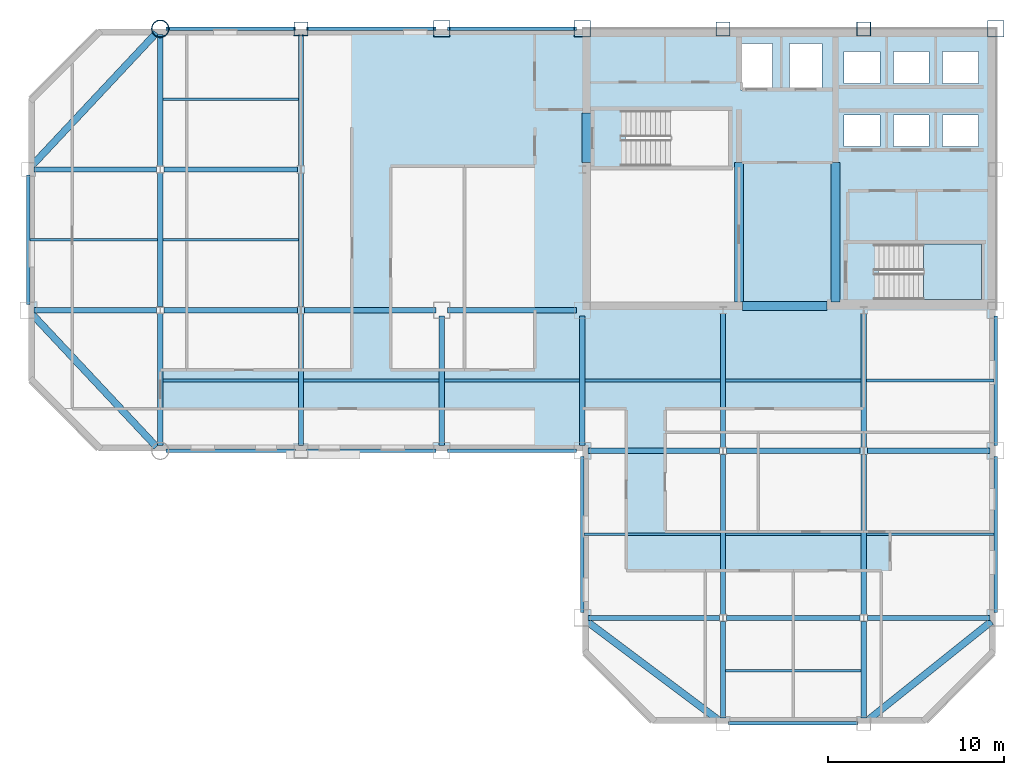
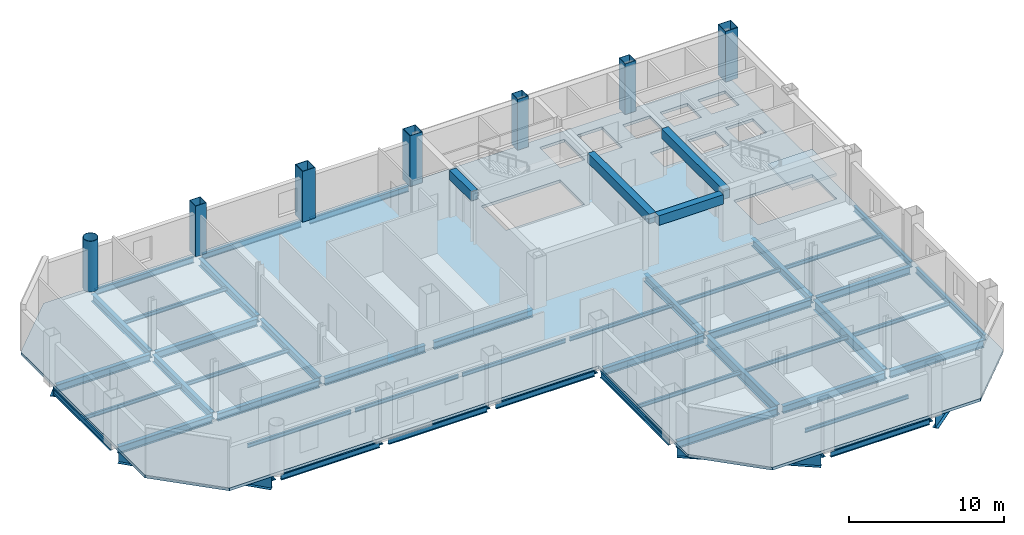
# One storey, part 3 of 11: 58 beams, 7 columns, 2 slabs, 1 element without a shape of its own.
"""IFC4 building model written with IfcOpenShell, lengths in metres."""

from ifc_helpers import new_model, si_unit, direction, frame, origin, origin_2d, place, context, subcontext, project, spatial, polyline, rectangle, hollow_rectangle, hollow_circle, i_section, outline, extrude, material, layer, layer_set, material_profile, profile_set, type_object, element, aggregate, save


model = new_model("IFC4")

# Units and contexts
model_context = context("Model", 3, precision=1e-05, world=origin(), true_north=direction((0.0, 1.0)))
body_context = subcontext(model_context, "Body", "Model", "MODEL_VIEW")
ifc_project = project(units=[si_unit("LENGTHUNIT", "METRE"), si_unit("AREAUNIT", "SQUARE_METRE"), si_unit("VOLUMEUNIT", "CUBIC_METRE"), si_unit("PLANEANGLEUNIT", "RADIAN"), si_unit("MASSUNIT", "GRAM", prefix="KILO")], contexts=[model_context])

# Site, building, storey
site_placement = place(None, origin())
site = spatial("IfcSite", under=ifc_project, at=site_placement, CompositionType="ELEMENT")
building_placement = place(site_placement, origin())
building = spatial("IfcBuilding", under=site, at=building_placement, Name="Qianrong Seaharbour Tower", CompositionType="ELEMENT")
storey_placement = place(building_placement, frame((0.0, 0.0, 265.800048828125)))
storey = spatial("IfcBuildingStorey", under=building, at=storey_placement, Name="L64", CompositionType="ELEMENT", Elevation=265.800048828125)

# Columns
ifc_material_1 = material(Name="Structural steel SN490B", Category="steel")
ifc_material_profile_1 = material_profile(ifc_material_1, hollow_rectangle(XDim=0.949951171875, YDim=0.949951171875, WallThickness=0.035888671875, at=origin_2d()), Name="BOX950x950x36")
ifc_profile_set_1 = profile_set([ifc_material_profile_1], Name="Structural steel SN490B")
column_type_1 = type_object("IfcColumnType", Name="COL-CFT-950", PredefinedType="COLUMN", material=ifc_profile_set_1)
for number, where, z_axis, x_axis, name in (
    (1, (32.5, 52.0, 0.0), (0.0, 0.0, 1.0), (1.0, 0.0, 0.0), "L64 Column MC-4 at G5/GH"),
    (2, (40.5, 52.0, 0.0), (0.0, 0.0, 1.0), (1.0, 0.0, 0.0), "L64 Column MC-4 at G6/GH"),
    (3, (64.0, 52.0, 0.0), (0.0, 0.0, 1.0), (1.0, 0.0, 0.0), "L64 Column MC-4 at G9/GH"),
):
    element("IfcColumn", number, at=place(storey_placement, frame(where, z_axis=z_axis, x_axis=x_axis)), inside=storey, type_object=column_type_1, Name=name, PredefinedType="COLUMN", context=body_context, shape_type="SweptSolid", body=[
        extrude(hollow_rectangle(XDim=0.949951171875, YDim=0.949951171875, WallThickness=0.035888671875, at=origin_2d()), origin(), (0.0, 0.0, 1.0), 4.0),
    ])
ifc_material_profile_2 = material_profile(ifc_material_1, hollow_circle(Radius=0.5, WallThickness=0.035888671875, at=origin_2d()), Name="CHS1000x36")
ifc_profile_set_2 = profile_set([ifc_material_profile_2], Name="Structural steel SN490B")
column_type_2 = type_object("IfcColumnType", Name="COL-CHS-1000", PredefinedType="COLUMN", material=ifc_profile_set_2)
column_placement = place(storey_placement, frame((16.5, 52.0, 0.0), z_axis=(0.0, 0.0, 1.0), x_axis=(1.0, 0.0, 0.0)))
element("IfcColumn", 4, at=column_placement, inside=storey, type_object=column_type_2, Name="L64 Column CC-2 at G3/GH", PredefinedType="COLUMN", context=body_context, shape_type="SweptSolid", body=[
    extrude(hollow_circle(Radius=0.5, WallThickness=0.035888671875, at=origin_2d()), origin(), (0.0, 0.0, 1.0), 4.0),
])
ifc_material_profile_3 = material_profile(ifc_material_1, hollow_rectangle(XDim=0.800048828125, YDim=0.800048828125, WallThickness=0.031982421875, at=origin_2d()), Name="BOX800x800x32")
ifc_profile_set_3 = profile_set([ifc_material_profile_3], Name="Structural steel SN490B")
column_type_3 = type_object("IfcColumnType", Name="COL-PER-800", PredefinedType="COLUMN", material=ifc_profile_set_3)
for number, where, z_axis, x_axis, name in (
    (5, (24.5, 52.0, 0.0), (0.0, 0.0, 1.0), (1.0, 0.0, 0.0), "L64 Column PC-3 at G4/GH"),
    (6, (48.5, 52.0, 0.0), (0.0, 0.0, 1.0), (1.0, 0.0, 0.0), "L64 Column PC-3 at G7/GH"),
    (7, (56.5, 52.0, 0.0), (0.0, 0.0, 1.0), (1.0, 0.0, 0.0), "L64 Column PC-3 at G8/GH"),
):
    element("IfcColumn", number, at=place(storey_placement, frame(where, z_axis=z_axis, x_axis=x_axis)), inside=storey, type_object=column_type_3, Name=name, PredefinedType="COLUMN", context=body_context, shape_type="SweptSolid", body=[
        extrude(hollow_rectangle(XDim=0.800048828125, YDim=0.800048828125, WallThickness=0.031982421875, at=origin_2d()), origin(), (0.0, 0.0, 1.0), 4.0),
    ])

# Beams
ifc_material_profile_4 = material_profile(ifc_material_1, i_section(OverallWidth=0.300048828125, OverallDepth=0.587890625, WebThickness=0.011962890625, FlangeThickness=0.02001953125, FilletRadius=0.02392578125, at=origin_2d()), Name="H588x300x12x20")
ifc_profile_set_4 = profile_set([ifc_material_profile_4], Name="Structural steel SN490B")
beam_type_1 = type_object("IfcBeamType", Name="BM-G-588", PredefinedType="BEAM", material=ifc_profile_set_4)
beam_1_placement = place(storey_placement, frame((40.820068359375, 18.5, -0.51904296875), z_axis=(1.0, 0.0, 0.0), x_axis=(0.0, 1.0, 0.0)))
element("IfcBeam", 8, at=beam_1_placement, inside=storey, type_object=beam_type_1, Name="L64 Primary Girder GD G6-G7", PredefinedType="BEAM", context=body_context, shape_type="SweptSolid", body=[
    extrude(i_section(OverallWidth=0.300048828125, OverallDepth=0.587890625, WebThickness=0.011962890625, FlangeThickness=0.02001953125, FilletRadius=0.02392578125, at=origin_2d()), origin(), (0.0, 0.0, 1.0), 7.47998046875),
])
beam_2_placement = place(storey_placement, frame((48.699951171875, 18.5, -0.51904296875), z_axis=(1.0, 0.0, 0.0), x_axis=(0.0, 1.0, 0.0)))
element("IfcBeam", 9, at=beam_2_placement, inside=storey, type_object=beam_type_1, Name="L64 Primary Girder GD G7-G8", PredefinedType="BEAM", context=body_context, shape_type="SweptSolid", body=[
    extrude(i_section(OverallWidth=0.300048828125, OverallDepth=0.587890625, WebThickness=0.011962890625, FlangeThickness=0.02001953125, FilletRadius=0.02392578125, at=origin_2d()), origin(), (0.0, 0.0, 1.0), 7.60009765625),
])
beam_3_placement = place(storey_placement, frame((56.699951171875, 18.5, -0.51904296875), z_axis=(1.0, 0.0, 0.0), x_axis=(0.0, 1.0, 0.0)))
element("IfcBeam", 10, at=beam_3_placement, inside=storey, type_object=beam_type_1, Name="L64 Primary Girder GD G8-G9", PredefinedType="BEAM", context=body_context, shape_type="SweptSolid", body=[
    extrude(i_section(OverallWidth=0.300048828125, OverallDepth=0.587890625, WebThickness=0.011962890625, FlangeThickness=0.02001953125, FilletRadius=0.02392578125, at=origin_2d()), origin(), (0.0, 0.0, 1.0), 6.97998046875),
])
beam_4_placement = place(storey_placement, frame((40.820068359375, 28.0, -0.51904296875), z_axis=(1.0, 0.0, 0.0), x_axis=(0.0, 1.0, 0.0)))
element("IfcBeam", 11, at=beam_4_placement, inside=storey, type_object=beam_type_1, Name="L64 Primary Girder GE G6-G7", PredefinedType="BEAM", context=body_context, shape_type="SweptSolid", body=[
    extrude(i_section(OverallWidth=0.300048828125, OverallDepth=0.587890625, WebThickness=0.011962890625, FlangeThickness=0.02001953125, FilletRadius=0.02392578125, at=origin_2d()), origin(), (0.0, 0.0, 1.0), 7.47998046875),
])
beam_5_placement = place(storey_placement, frame((48.699951171875, 28.0, -0.51904296875), z_axis=(1.0, 0.0, 0.0), x_axis=(0.0, 1.0, 0.0)))
element("IfcBeam", 12, at=beam_5_placement, inside=storey, type_object=beam_type_1, Name="L64 Primary Girder GE G7-G8", PredefinedType="BEAM", context=body_context, shape_type="SweptSolid", body=[
    extrude(i_section(OverallWidth=0.300048828125, OverallDepth=0.587890625, WebThickness=0.011962890625, FlangeThickness=0.02001953125, FilletRadius=0.02392578125, at=origin_2d()), origin(), (0.0, 0.0, 1.0), 7.60009765625),
])
for number, where, z_axis, x_axis, name in (
    (13, (56.699951171875, 28.0, -0.51904296875), (1.0, 0.0, 0.0), (0.0, 1.0, 0.0), "L64 Primary Girder GE G8-G9"),
    (14, (9.320068359375, 36.0, -0.51904296875), (1.0, 0.0, 0.0), (0.0, 1.0, 0.0), "L64 Primary Girder GF G2-G3"),
):
    element("IfcBeam", number, at=place(storey_placement, frame(where, z_axis=z_axis, x_axis=x_axis)), inside=storey, type_object=beam_type_1, Name=name, PredefinedType="BEAM", context=body_context, shape_type="SweptSolid", body=[
        extrude(i_section(OverallWidth=0.300048828125, OverallDepth=0.587890625, WebThickness=0.011962890625, FlangeThickness=0.02001953125, FilletRadius=0.02392578125, at=origin_2d()), origin(), (0.0, 0.0, 1.0), 6.97998046875),
    ])
beam_6_placement = place(storey_placement, frame((16.699951171875, 36.0, -0.51904296875), z_axis=(1.0, 0.0, 0.0), x_axis=(0.0, 1.0, 0.0)))
element("IfcBeam", 15, at=beam_6_placement, inside=storey, type_object=beam_type_1, Name="L64 Primary Girder GF G3-G4", PredefinedType="BEAM", context=body_context, shape_type="SweptSolid", body=[
    extrude(i_section(OverallWidth=0.300048828125, OverallDepth=0.587890625, WebThickness=0.011962890625, FlangeThickness=0.02001953125, FilletRadius=0.02392578125, at=origin_2d()), origin(), (0.0, 0.0, 1.0), 7.60009765625),
])
beam_7_placement = place(storey_placement, frame((24.699951171875, 36.0, -0.51904296875), z_axis=(1.0, 0.0, 0.0), x_axis=(0.0, 1.0, 0.0)))
element("IfcBeam", 16, at=beam_7_placement, inside=storey, type_object=beam_type_1, Name="L64 Primary Girder GF G4-G5", PredefinedType="BEAM", context=body_context, shape_type="SweptSolid", body=[
    extrude(i_section(OverallWidth=0.300048828125, OverallDepth=0.587890625, WebThickness=0.011962890625, FlangeThickness=0.02001953125, FilletRadius=0.02392578125, at=origin_2d()), origin(), (0.0, 0.0, 1.0), 7.47998046875),
])
beam_8_placement = place(storey_placement, frame((32.820068359375, 36.0, -0.51904296875), z_axis=(1.0, 0.0, 0.0), x_axis=(0.0, 1.0, 0.0)))
element("IfcBeam", 17, at=beam_8_placement, inside=storey, type_object=beam_type_1, Name="L64 Primary Girder GF G5-G6", PredefinedType="BEAM", context=body_context, shape_type="SweptSolid", body=[
    extrude(i_section(OverallWidth=0.300048828125, OverallDepth=0.587890625, WebThickness=0.011962890625, FlangeThickness=0.02001953125, FilletRadius=0.02392578125, at=origin_2d()), origin(), (0.0, 0.0, 1.0), 7.35986328125),
])
beam_9_placement = place(storey_placement, frame((9.320068359375, 44.0, -0.51904296875), z_axis=(1.0, 0.0, 0.0), x_axis=(0.0, 1.0, 0.0)))
element("IfcBeam", 18, at=beam_9_placement, inside=storey, type_object=beam_type_1, Name="L64 Primary Girder GG G2-G3", PredefinedType="BEAM", context=body_context, shape_type="SweptSolid", body=[
    extrude(i_section(OverallWidth=0.300048828125, OverallDepth=0.587890625, WebThickness=0.011962890625, FlangeThickness=0.02001953125, FilletRadius=0.02392578125, at=origin_2d()), origin(), (0.0, 0.0, 1.0), 6.97998046875),
])
beam_10_placement = place(storey_placement, frame((16.699951171875, 44.0, -0.51904296875), z_axis=(1.0, 0.0, 0.0), x_axis=(0.0, 1.0, 0.0)))
element("IfcBeam", 19, at=beam_10_placement, inside=storey, type_object=beam_type_1, Name="L64 Primary Girder GG G3-G4", PredefinedType="BEAM", context=body_context, shape_type="SweptSolid", body=[
    extrude(i_section(OverallWidth=0.300048828125, OverallDepth=0.587890625, WebThickness=0.011962890625, FlangeThickness=0.02001953125, FilletRadius=0.02392578125, at=origin_2d()), origin(), (0.0, 0.0, 1.0), 7.60009765625),
])
beam_11_placement = place(storey_placement, frame((16.5, 28.320068359375, -0.51904296875), z_axis=(0.0, 1.0, 0.0), x_axis=(-1.0, 0.0, 0.0)))
element("IfcBeam", 20, at=beam_11_placement, inside=storey, type_object=beam_type_1, Name="L64 Primary Girder G3 GE-GF", PredefinedType="BEAM", context=body_context, shape_type="SweptSolid", body=[
    extrude(i_section(OverallWidth=0.300048828125, OverallDepth=0.587890625, WebThickness=0.011962890625, FlangeThickness=0.02001953125, FilletRadius=0.02392578125, at=origin_2d()), origin(), (0.0, 0.0, 1.0), 7.47998046875),
])
beam_12_placement = place(storey_placement, frame((16.5, 36.199951171875, -0.51904296875), z_axis=(0.0, 1.0, 0.0), x_axis=(-1.0, 0.0, 0.0)))
element("IfcBeam", 21, at=beam_12_placement, inside=storey, type_object=beam_type_1, Name="L64 Primary Girder G3 GF-GG", PredefinedType="BEAM", context=body_context, shape_type="SweptSolid", body=[
    extrude(i_section(OverallWidth=0.300048828125, OverallDepth=0.587890625, WebThickness=0.011962890625, FlangeThickness=0.02001953125, FilletRadius=0.02392578125, at=origin_2d()), origin(), (0.0, 0.0, 1.0), 7.60009765625),
])
for number, where, z_axis, x_axis, name in (
    (22, (16.5, 44.199951171875, -0.51904296875), (0.0, 1.0, 0.0), (-1.0, 0.0, 0.0), "L64 Primary Girder G3 GG-GH"),
    (23, (24.5, 28.320068359375, -0.51904296875), (0.0, 1.0, 0.0), (-1.0, 0.0, 0.0), "L64 Primary Girder G4 GE-GF"),
):
    element("IfcBeam", number, at=place(storey_placement, frame(where, z_axis=z_axis, x_axis=x_axis)), inside=storey, type_object=beam_type_1, Name=name, PredefinedType="BEAM", context=body_context, shape_type="SweptSolid", body=[
        extrude(i_section(OverallWidth=0.300048828125, OverallDepth=0.587890625, WebThickness=0.011962890625, FlangeThickness=0.02001953125, FilletRadius=0.02392578125, at=origin_2d()), origin(), (0.0, 0.0, 1.0), 7.47998046875),
    ])
beam_13_placement = place(storey_placement, frame((24.5, 36.199951171875, -0.51904296875), z_axis=(0.0, 1.0, 0.0), x_axis=(-1.0, 0.0, 0.0)))
element("IfcBeam", 24, at=beam_13_placement, inside=storey, type_object=beam_type_1, Name="L64 Primary Girder G4 GF-GG", PredefinedType="BEAM", context=body_context, shape_type="SweptSolid", body=[
    extrude(i_section(OverallWidth=0.300048828125, OverallDepth=0.587890625, WebThickness=0.011962890625, FlangeThickness=0.02001953125, FilletRadius=0.02392578125, at=origin_2d()), origin(), (0.0, 0.0, 1.0), 7.60009765625),
])
beam_14_placement = place(storey_placement, frame((24.5, 44.199951171875, -0.51904296875), z_axis=(0.0, 1.0, 0.0), x_axis=(-1.0, 0.0, 0.0)))
element("IfcBeam", 25, at=beam_14_placement, inside=storey, type_object=beam_type_1, Name="L64 Primary Girder G4 GG-GH", PredefinedType="BEAM", context=body_context, shape_type="SweptSolid", body=[
    extrude(i_section(OverallWidth=0.300048828125, OverallDepth=0.587890625, WebThickness=0.011962890625, FlangeThickness=0.02001953125, FilletRadius=0.02392578125, at=origin_2d()), origin(), (0.0, 0.0, 1.0), 7.47998046875),
])
for number, where, z_axis, x_axis, name in (
    (26, (32.5, 28.320068359375, -0.51904296875), (0.0, 1.0, 0.0), (-1.0, 0.0, 0.0), "L64 Primary Girder G5 GE-GF"),
    (27, (40.5, 28.320068359375, -0.51904296875), (0.0, 1.0, 0.0), (-1.0, 0.0, 0.0), "L64 Primary Girder G6 GE-GF"),
):
    element("IfcBeam", number, at=place(storey_placement, frame(where, z_axis=z_axis, x_axis=x_axis)), inside=storey, type_object=beam_type_1, Name=name, PredefinedType="BEAM", context=body_context, shape_type="SweptSolid", body=[
        extrude(i_section(OverallWidth=0.300048828125, OverallDepth=0.587890625, WebThickness=0.011962890625, FlangeThickness=0.02001953125, FilletRadius=0.02392578125, at=origin_2d()), origin(), (0.0, 0.0, 1.0), 7.35986328125),
    ])
beam_15_placement = place(storey_placement, frame((48.5, 12.820068359375, -0.51904296875), z_axis=(0.0, 1.0, 0.0), x_axis=(-1.0, 0.0, 0.0)))
element("IfcBeam", 28, at=beam_15_placement, inside=storey, type_object=beam_type_1, Name="L64 Primary Girder G7 GC-GD", PredefinedType="BEAM", context=body_context, shape_type="SweptSolid", body=[
    extrude(i_section(OverallWidth=0.300048828125, OverallDepth=0.587890625, WebThickness=0.011962890625, FlangeThickness=0.02001953125, FilletRadius=0.02392578125, at=origin_2d()), origin(), (0.0, 0.0, 1.0), 5.47998046875),
])
beam_16_placement = place(storey_placement, frame((48.5, 28.199951171875, -0.51904296875), z_axis=(0.0, 1.0, 0.0), x_axis=(-1.0, 0.0, 0.0)))
element("IfcBeam", 29, at=beam_16_placement, inside=storey, type_object=beam_type_1, Name="L64 Primary Girder G7 GE-GF", PredefinedType="BEAM", context=body_context, shape_type="SweptSolid", body=[
    extrude(i_section(OverallWidth=0.300048828125, OverallDepth=0.587890625, WebThickness=0.011962890625, FlangeThickness=0.02001953125, FilletRadius=0.02392578125, at=origin_2d()), origin(), (0.0, 0.0, 1.0), 7.60009765625),
])
beam_17_placement = place(storey_placement, frame((56.5, 12.820068359375, -0.51904296875), z_axis=(0.0, 1.0, 0.0), x_axis=(-1.0, 0.0, 0.0)))
element("IfcBeam", 30, at=beam_17_placement, inside=storey, type_object=beam_type_1, Name="L64 Primary Girder G8 GC-GD", PredefinedType="BEAM", context=body_context, shape_type="SweptSolid", body=[
    extrude(i_section(OverallWidth=0.300048828125, OverallDepth=0.587890625, WebThickness=0.011962890625, FlangeThickness=0.02001953125, FilletRadius=0.02392578125, at=origin_2d()), origin(), (0.0, 0.0, 1.0), 5.47998046875),
])
beam_18_placement = place(storey_placement, frame((56.5, 28.199951171875, -0.51904296875), z_axis=(0.0, 1.0, 0.0), x_axis=(-1.0, 0.0, 0.0)))
element("IfcBeam", 31, at=beam_18_placement, inside=storey, type_object=beam_type_1, Name="L64 Primary Girder G8 GE-GF", PredefinedType="BEAM", context=body_context, shape_type="SweptSolid", body=[
    extrude(i_section(OverallWidth=0.300048828125, OverallDepth=0.587890625, WebThickness=0.011962890625, FlangeThickness=0.02001953125, FilletRadius=0.02392578125, at=origin_2d()), origin(), (0.0, 0.0, 1.0), 7.60009765625),
])
ifc_material_profile_5 = material_profile(ifc_material_1, i_section(OverallWidth=0.300048828125, OverallDepth=0.800048828125, WebThickness=0.013916015625, FlangeThickness=0.02587890625, FilletRadius=0.028076171875, at=origin_2d()), Name="H800x300x14x26")
ifc_profile_set_5 = profile_set([ifc_material_profile_5], Name="Structural steel SN490B")
beam_type_2 = type_object("IfcBeamType", Name="BM-G-800", PredefinedType="BEAM", material=ifc_profile_set_5)
for number, where, z_axis, x_axis, name in (
    (32, (48.5, 18.699951171875, -0.625), (0.0, 1.0, 0.0), (-1.0, 0.0, 0.0), "L64 Primary Girder G7 GD-GE"),
    (33, (56.5, 18.699951171875, -0.625), (0.0, 1.0, 0.0), (-1.0, 0.0, 0.0), "L64 Primary Girder G8 GD-GE"),
):
    element("IfcBeam", number, at=place(storey_placement, frame(where, z_axis=z_axis, x_axis=x_axis)), inside=storey, type_object=beam_type_2, Name=name, PredefinedType="BEAM", context=body_context, shape_type="SweptSolid", body=[
        extrude(i_section(OverallWidth=0.300048828125, OverallDepth=0.800048828125, WebThickness=0.013916015625, FlangeThickness=0.02587890625, FilletRadius=0.028076171875, at=origin_2d()), origin(), (0.0, 0.0, 1.0), 9.10009765625),
    ])
ifc_material_2 = material(Name="Structural steel SN400B", Category="steel")
ifc_material_profile_6 = material_profile(ifc_material_2, i_section(OverallWidth=0.14990234375, OverallDepth=0.300048828125, WebThickness=0.006591796875, FlangeThickness=0.009033203125, FilletRadius=0.012939453125, at=origin_2d()), Name="H300x150x6.5x9")
ifc_profile_set_6 = profile_set([ifc_material_profile_6], Name="Structural steel SN400B")
beam_type_3 = type_object("IfcBeamType", Name="BM-J-300", PredefinedType="JOIST", material=ifc_profile_set_6)
beam_19_placement = place(storey_placement, frame((9.10009765625, 40.0, -0.375), z_axis=(1.0, 0.0, 0.0), x_axis=(0.0, 1.0, 0.0)))
element("IfcBeam", 34, at=beam_19_placement, inside=storey, type_object=beam_type_3, Name="L64 Composite Floor Joist G2-G3/GF-GG", PredefinedType="JOIST", context=body_context, shape_type="SweptSolid", body=[
    extrude(i_section(OverallWidth=0.14990234375, OverallDepth=0.300048828125, WebThickness=0.006591796875, FlangeThickness=0.009033203125, FilletRadius=0.012939453125, at=origin_2d()), origin(), (0.0, 0.0, 1.0), 7.25),
])
for number, where, z_axis, x_axis, name in (
    (35, (16.64990234375, 32.0, -0.375), (1.0, 0.0, 0.0), (0.0, 1.0, 0.0), "L64 Composite Floor Joist G3-G4/GE-GF"),
    (36, (16.64990234375, 40.0, -0.375), (1.0, 0.0, 0.0), (0.0, 1.0, 0.0), "L64 Composite Floor Joist G3-G4/GF-GG"),
    (37, (16.64990234375, 48.0, -0.375), (1.0, 0.0, 0.0), (0.0, 1.0, 0.0), "L64 Composite Floor Joist G3-G4/GG-GH"),
    (38, (24.64990234375, 32.0, -0.375), (1.0, 0.0, 0.0), (0.0, 1.0, 0.0), "L64 Composite Floor Joist G4-G5/GE-GF"),
    (39, (32.64990234375, 32.0, -0.375), (1.0, 0.0, 0.0), (0.0, 1.0, 0.0), "L64 Composite Floor Joist G5-G6/GE-GF"),
):
    element("IfcBeam", number, at=place(storey_placement, frame(where, z_axis=z_axis, x_axis=x_axis)), inside=storey, type_object=beam_type_3, Name=name, PredefinedType="JOIST", context=body_context, shape_type="SweptSolid", body=[
        extrude(i_section(OverallWidth=0.14990234375, OverallDepth=0.300048828125, WebThickness=0.006591796875, FlangeThickness=0.009033203125, FilletRadius=0.012939453125, at=origin_2d()), origin(), (0.0, 0.0, 1.0), 7.7001953125),
    ])
beam_20_placement = place(storey_placement, frame((40.60009765625, 23.25, -0.375), z_axis=(1.0, 0.0, 0.0), x_axis=(0.0, 1.0, 0.0)))
element("IfcBeam", 40, at=beam_20_placement, inside=storey, type_object=beam_type_3, Name="L64 Composite Floor Joist G6-G7/GD-GE", PredefinedType="JOIST", context=body_context, shape_type="SweptSolid", body=[
    extrude(i_section(OverallWidth=0.14990234375, OverallDepth=0.300048828125, WebThickness=0.006591796875, FlangeThickness=0.009033203125, FilletRadius=0.012939453125, at=origin_2d()), origin(), (0.0, 0.0, 1.0), 7.75),
])
for number, where, z_axis, x_axis, name in (
    (41, (40.64990234375, 32.0, -0.375), (1.0, 0.0, 0.0), (0.0, 1.0, 0.0), "L64 Composite Floor Joist G6-G7/GE-GF"),
    (42, (48.64990234375, 15.5, -0.375), (1.0, 0.0, 0.0), (0.0, 1.0, 0.0), "L64 Composite Floor Joist G7-G8/GC-GD"),
    (43, (48.64990234375, 23.25, -0.375), (1.0, 0.0, 0.0), (0.0, 1.0, 0.0), "L64 Composite Floor Joist G7-G8/GD-GE"),
    (44, (48.64990234375, 32.0, -0.375), (1.0, 0.0, 0.0), (0.0, 1.0, 0.0), "L64 Composite Floor Joist G7-G8/GE-GF"),
):
    element("IfcBeam", number, at=place(storey_placement, frame(where, z_axis=z_axis, x_axis=x_axis)), inside=storey, type_object=beam_type_3, Name=name, PredefinedType="JOIST", context=body_context, shape_type="SweptSolid", body=[
        extrude(i_section(OverallWidth=0.14990234375, OverallDepth=0.300048828125, WebThickness=0.006591796875, FlangeThickness=0.009033203125, FilletRadius=0.012939453125, at=origin_2d()), origin(), (0.0, 0.0, 1.0), 7.7001953125),
    ])
for number, where, z_axis, x_axis, name in (
    (45, (56.64990234375, 23.25, -0.375), (1.0, 0.0, 0.0), (0.0, 1.0, 0.0), "L64 Composite Floor Joist G8-G9/GD-GE"),
    (46, (56.64990234375, 32.0, -0.375), (1.0, 0.0, 0.0), (0.0, 1.0, 0.0), "L64 Composite Floor Joist G8-G9/GE-GF"),
):
    element("IfcBeam", number, at=place(storey_placement, frame(where, z_axis=z_axis, x_axis=x_axis)), inside=storey, type_object=beam_type_3, Name=name, PredefinedType="JOIST", context=body_context, shape_type="SweptSolid", body=[
        extrude(i_section(OverallWidth=0.14990234375, OverallDepth=0.300048828125, WebThickness=0.006591796875, FlangeThickness=0.009033203125, FilletRadius=0.012939453125, at=origin_2d()), origin(), (0.0, 0.0, 1.0), 7.25),
    ])
ifc_material_3 = material(Name="Concrete C60/75", Category="concrete")
ifc_material_profile_7 = material_profile(ifc_material_3, rectangle(XDim=0.5, YDim=0.75, at=origin_2d()), Name="RC500x750")
ifc_profile_set_7 = profile_set([ifc_material_profile_7], Name="Concrete C60/75")
beam_type_4 = type_object("IfcBeamType", Name="BM-LINTEL-750", PredefinedType="LINTEL", material=ifc_profile_set_7)
beam_21_placement = place(storey_placement, frame((40.72998046875, 44.39990234375, 3.39990234375), z_axis=(0.0, 1.0, 0.0), x_axis=(-1.0, 0.0, 0.0)))
element("IfcBeam", 47, at=beam_21_placement, inside=storey, type_object=beam_type_4, Name="L64 Core Coupling Lintel Beam West", PredefinedType="LINTEL", context=body_context, shape_type="SweptSolid", body=[
    extrude(rectangle(XDim=0.5, YDim=0.75, at=origin_2d()), origin(), (0.0, 0.0, 1.0), 2.800048828125),
])
beam_22_placement = place(storey_placement, frame((49.60009765625, 36.22998046875, 3.39990234375), z_axis=(1.0, 0.0, 0.0), x_axis=(0.0, 1.0, 0.0)))
element("IfcBeam", 48, at=beam_22_placement, inside=storey, type_object=beam_type_4, Name="L64 Core Coupling Lintel Beam CBC", PredefinedType="LINTEL", context=body_context, shape_type="SweptSolid", body=[
    extrude(rectangle(XDim=0.5, YDim=0.75, at=origin_2d()), origin(), (0.0, 0.0, 1.0), 4.7998046875),
])
for number, where, z_axis, x_axis, name in (
    (49, (49.39990234375, 36.4599609375, 3.39990234375), (0.0, 1.0, 0.0), (-1.0, 0.0, 0.0), "L64 Internal Core Coupling Beam IW1"),
    (50, (54.89990234375, 36.4599609375, 3.39990234375), (0.0, 1.0, 0.0), (-1.0, 0.0, 0.0), "L64 Internal Core Coupling Beam IW2"),
):
    element("IfcBeam", number, at=place(storey_placement, frame(where, z_axis=z_axis, x_axis=x_axis)), inside=storey, type_object=beam_type_4, Name=name, PredefinedType="LINTEL", context=body_context, shape_type="SweptSolid", body=[
        extrude(rectangle(XDim=0.5, YDim=0.75, at=origin_2d()), origin(), (0.0, 0.0, 1.0), 7.93994140625),
    ])
ifc_material_profile_8 = material_profile(ifc_material_2, i_section(OverallWidth=0.199951171875, OverallDepth=0.449951171875, WebThickness=0.009033203125, FlangeThickness=0.013916015625, FilletRadius=0.01806640625, at=origin_2d()), Name="H450x200x9x14")
ifc_profile_set_8 = profile_set([ifc_material_profile_8], Name="Structural steel SN400B")
beam_type_5 = type_object("IfcBeamType", Name="BM-SP-450", PredefinedType="SPANDREL", material=ifc_profile_set_8)
for number, where, z_axis, x_axis, name in (
    (51, (48.820068359375, 12.5, -0.449951171875), (1.0, 0.0, 0.0), (0.0, 1.0, 0.0), "L64 Spandrel Girder GC G7-G8"),
    (52, (16.820068359375, 28.0, -0.449951171875), (1.0, 0.0, 0.0), (0.0, 1.0, 0.0), "L64 Spandrel Girder GE G3-G4"),
    (53, (24.820068359375, 28.0, -0.449951171875), (1.0, 0.0, 0.0), (0.0, 1.0, 0.0), "L64 Spandrel Girder GE G4-G5"),
    (54, (32.820068359375, 28.0, -0.449951171875), (1.0, 0.0, 0.0), (0.0, 1.0, 0.0), "L64 Spandrel Girder GE G5-G6"),
    (55, (16.820068359375, 52.0, -0.449951171875), (1.0, 0.0, 0.0), (0.0, 1.0, 0.0), "L64 Spandrel Girder GH G3-G4"),
    (56, (24.820068359375, 52.0, -0.449951171875), (1.0, 0.0, 0.0), (0.0, 1.0, 0.0), "L64 Spandrel Girder GH G4-G5"),
    (57, (32.820068359375, 52.0, -0.449951171875), (1.0, 0.0, 0.0), (0.0, 1.0, 0.0), "L64 Spandrel Girder GH G5-G6"),
    (58, (9.0, 36.320068359375, -0.449951171875), (0.0, 1.0, 0.0), (-1.0, 0.0, 0.0), "L64 Spandrel Girder G2 GF-GG"),
):
    element("IfcBeam", number, at=place(storey_placement, frame(where, z_axis=z_axis, x_axis=x_axis)), inside=storey, type_object=beam_type_5, Name=name, PredefinedType="SPANDREL", context=body_context, shape_type="SweptSolid", body=[
        extrude(i_section(OverallWidth=0.199951171875, OverallDepth=0.449951171875, WebThickness=0.009033203125, FlangeThickness=0.013916015625, FilletRadius=0.01806640625, at=origin_2d()), origin(), (0.0, 0.0, 1.0), 7.35986328125),
    ])
for number, where, z_axis, x_axis, name in (
    (59, (40.5, 18.820068359375, -0.449951171875), (0.0, 1.0, 0.0), (-1.0, 0.0, 0.0), "L64 Spandrel Girder G6 GD-GE"),
    (60, (64.0, 18.820068359375, -0.449951171875), (0.0, 1.0, 0.0), (-1.0, 0.0, 0.0), "L64 Spandrel Girder G9 GD-GE"),
):
    element("IfcBeam", number, at=place(storey_placement, frame(where, z_axis=z_axis, x_axis=x_axis)), inside=storey, type_object=beam_type_5, Name=name, PredefinedType="SPANDREL", context=body_context, shape_type="SweptSolid", body=[
        extrude(i_section(OverallWidth=0.199951171875, OverallDepth=0.449951171875, WebThickness=0.009033203125, FlangeThickness=0.013916015625, FilletRadius=0.01806640625, at=origin_2d()), origin(), (0.0, 0.0, 1.0), 8.85986328125),
    ])
beam_23_placement = place(storey_placement, frame((64.0, 28.320068359375, -0.449951171875), z_axis=(0.0, 1.0, 0.0), x_axis=(-1.0, 0.0, 0.0)))
element("IfcBeam", 61, at=beam_23_placement, inside=storey, type_object=beam_type_5, Name="L64 Spandrel Girder G9 GE-GF", PredefinedType="SPANDREL", context=body_context, shape_type="SweptSolid", body=[
    extrude(i_section(OverallWidth=0.199951171875, OverallDepth=0.449951171875, WebThickness=0.009033203125, FlangeThickness=0.013916015625, FilletRadius=0.01806640625, at=origin_2d()), origin(), (0.0, 0.0, 1.0), 7.35986328125),
])
ifc_material_profile_9 = material_profile(ifc_material_1, i_section(OverallWidth=0.39990234375, OverallDepth=1.10009765625, WebThickness=0.02001953125, FlangeThickness=0.035888671875, at=origin_2d()), Name="BH1100x400x20x36")
ifc_profile_set_9 = profile_set([ifc_material_profile_9], Name="Structural steel SN490B")
beam_type_6 = type_object("IfcBeamType", Name="BM-TG-1100", PredefinedType="BEAM", material=ifc_profile_set_9)
for number, where, z_axis, x_axis, name in (
    (62, (16.28125, 28.2333984375, -0.775146484375), (-0.683947420573, 0.729531305628, 0.0), (-0.729531305628, -0.683947420573, 0.0), "L64 Chamfer Corner Spandrel Girder G2/GE"),
    (63, (16.28125, 51.7666015625, -0.775146484375), (-0.683947420573, -0.729531305628, 0.0), (0.729531305628, -0.683947420573, 0.0), "L64 Chamfer Corner Spandrel Girder G2/GH"),
):
    element("IfcBeam", number, at=place(storey_placement, frame(where, z_axis=z_axis, x_axis=x_axis)), inside=storey, type_object=beam_type_6, Name=name, PredefinedType="BEAM", context=body_context, shape_type="SweptSolid", body=[
        extrude(i_section(OverallWidth=0.39990234375, OverallDepth=1.10009765625, WebThickness=0.02001953125, FlangeThickness=0.035888671875, at=origin_2d()), origin(), (0.0, 0.0, 1.0), 10.326171875),
    ])
beam_24_placement = place(storey_placement, frame((48.243896484375, 12.69189453125, -0.775146484375), z_axis=(-0.799981219482, 0.600025039875, 0.0), x_axis=(-0.600025039875, -0.799981219482, 0.0)))
element("IfcBeam", 64, at=beam_24_placement, inside=storey, type_object=beam_type_6, Name="L64 Chamfer Corner Spandrel Girder G6/GC", PredefinedType="BEAM", context=body_context, shape_type="SweptSolid", body=[
    extrude(i_section(OverallWidth=0.39990234375, OverallDepth=1.10009765625, WebThickness=0.02001953125, FlangeThickness=0.035888671875, at=origin_2d()), origin(), (0.0, 0.0, 1.0), 9.35986328125),
])
beam_25_placement = place(storey_placement, frame((56.75, 12.699951171875, -0.775146484375), z_axis=(0.780863495394, 0.624701690058, 0.0), x_axis=(-0.624701690058, 0.780863495394, 0.0)))
element("IfcBeam", 65, at=beam_25_placement, inside=storey, type_object=beam_type_6, Name="L64 Chamfer Corner Spandrel Girder G9/GC", PredefinedType="BEAM", context=body_context, shape_type="SweptSolid", body=[
    extrude(i_section(OverallWidth=0.39990234375, OverallDepth=1.10009765625, WebThickness=0.02001953125, FlangeThickness=0.035888671875, at=origin_2d()), origin(), (0.0, 0.0, 1.0), 8.96435546875),
])

# Stair, slab
ifc_material_4 = material(Name="Concrete C50/60", Category="concrete")
stair_type = type_object("IfcStairType", Name="STAIR-DOGLEG-1500-R22", PredefinedType="HALF_TURN_STAIR", material=ifc_material_4)
stair_placement = place(storey_placement, origin())
stair = element("IfcStair", 66, at=stair_placement, inside=storey, type_object=stair_type, Name="L64 Protected Escape Stair ST-2", PredefinedType="HALF_TURN_STAIR")
ifc_layer_1 = layer(ifc_material_4, 0.199951171875)
ifc_layer_set_1 = layer_set([ifc_layer_1], Name="Concrete C50/60")
slab_type_1 = type_object("IfcSlabType", Name="SLAB-STAIR-LANDING-200", PredefinedType="LANDING", material=ifc_layer_set_1)
slab_1_placement = place(storey_placement, frame((0.0, 0.0, 1.800048828125)))
slab_1 = element("IfcSlab", 67, at=slab_1_placement, type_object=slab_type_1, Name="ST-2 landing 1", PredefinedType="LANDING", context=body_context, shape_type="SweptSolid", body=[
    extrude(outline(polyline([(59.89990234375, 36.60009765625), (63.199951171875, 36.60009765625), (63.199951171875, 39.75), (59.89990234375, 39.75), (59.89990234375, 36.60009765625)])), origin(), (0.0, 0.0, 1.0), 0.199951171875),
])
aggregate(stair, [slab_1])

# Slab
ifc_layer_2 = layer(ifc_material_4, 0.22509765625)
ifc_layer_set_2 = layer_set([ifc_layer_2], Name="Concrete C50/60")
slab_type_2 = type_object("IfcSlabType", Name="SLAB-Z3-225", PredefinedType="FLOOR", material=ifc_layer_set_2)
slab_2_placement = place(storey_placement, frame((0.0, 0.0, -0.22509765625)))
element("IfcSlab", 68, at=slab_2_placement, inside=storey, type_object=slab_type_2, Name="L64 Structural Floor Slab", PredefinedType="FLOOR", context=body_context, shape_type="SweptSolid", body=[
    extrude(outline(polyline([(44.5, 12.5), (60.0, 12.5), (64.0, 16.5), (64.0, 52.0), (13.0, 52.0), (9.0, 48.0), (9.0, 32.0), (13.0, 28.0), (40.5, 28.0), (40.5, 16.5), (44.5, 12.5)]), holes=[polyline([(42.93994140625, 44.199951171875), (42.93994140625, 47.35009765625), (48.800048828125, 47.35009765625), (48.800048828125, 44.199951171875), (42.93994140625, 44.199951171875)]), polyline([(57.340087890625, 36.60009765625), (57.340087890625, 39.75), (63.199951171875, 39.75), (63.199951171875, 36.60009765625), (57.340087890625, 36.60009765625)]), polyline([(49.47998046875, 48.530029296875), (49.47998046875, 51.169921875), (51.320068359375, 51.169921875), (51.320068359375, 48.530029296875), (49.47998046875, 48.530029296875)]), polyline([(52.280029296875, 48.530029296875), (52.280029296875, 51.169921875), (54.1201171875, 51.169921875), (54.1201171875, 48.530029296875), (52.280029296875, 48.530029296875)]), polyline([(55.3798828125, 45.300048828125), (55.3798828125, 47.10009765625), (57.419921875, 47.10009765625), (57.419921875, 45.300048828125), (55.3798828125, 45.300048828125)]), polyline([(58.179931640625, 45.300048828125), (58.179931640625, 47.10009765625), (60.219970703125, 47.10009765625), (60.219970703125, 45.300048828125), (58.179931640625, 45.300048828125)]), polyline([(60.97998046875, 45.300048828125), (60.97998046875, 47.10009765625), (63.02001953125, 47.10009765625), (63.02001953125, 45.300048828125), (60.97998046875, 45.300048828125)]), polyline([(55.3798828125, 48.89990234375), (55.3798828125, 50.699951171875), (57.419921875, 50.699951171875), (57.419921875, 48.89990234375), (55.3798828125, 48.89990234375)]), polyline([(58.179931640625, 48.89990234375), (58.179931640625, 50.699951171875), (60.219970703125, 50.699951171875), (60.219970703125, 48.89990234375), (58.179931640625, 48.89990234375)]), polyline([(60.97998046875, 48.89990234375), (60.97998046875, 50.699951171875), (63.02001953125, 50.699951171875), (63.02001953125, 48.89990234375), (60.97998046875, 48.89990234375)])]), origin(), (0.0, 0.0, 1.0), 0.22509765625),
])

save(model, "model.ifc")
